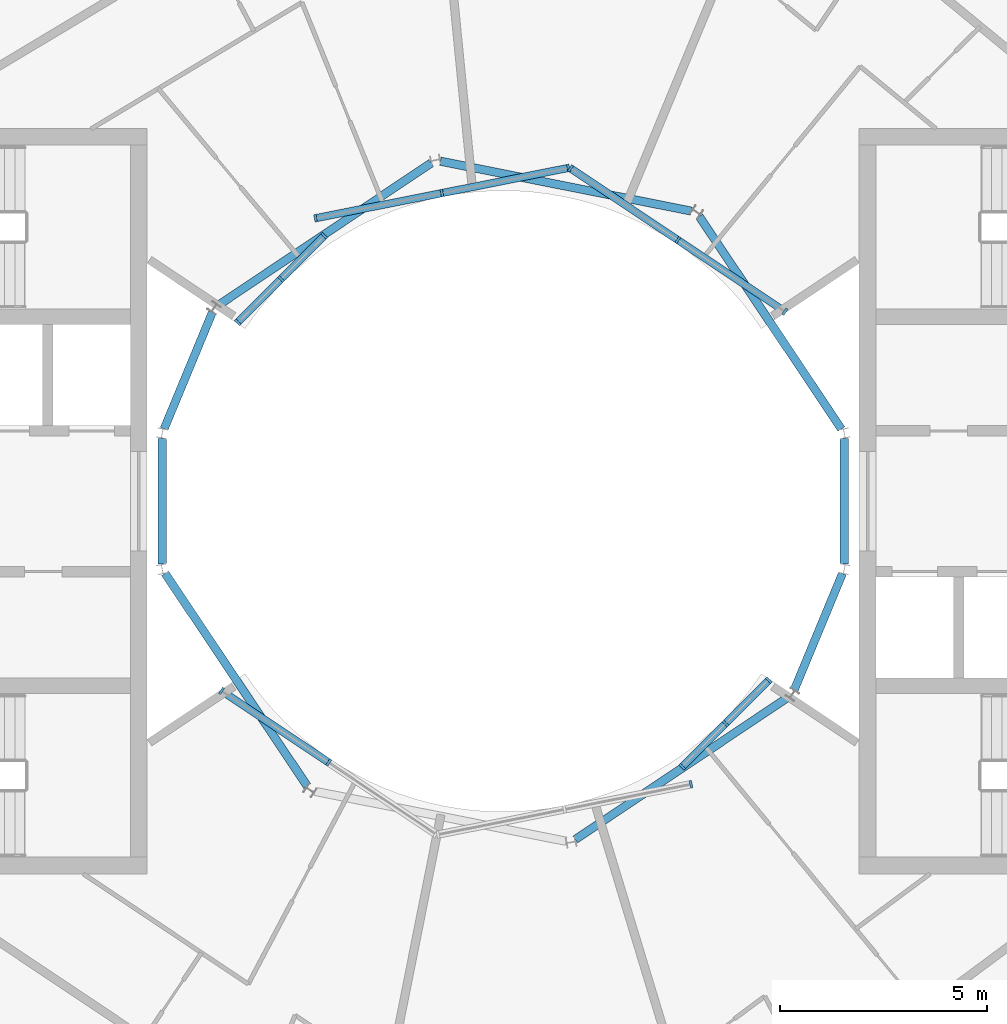
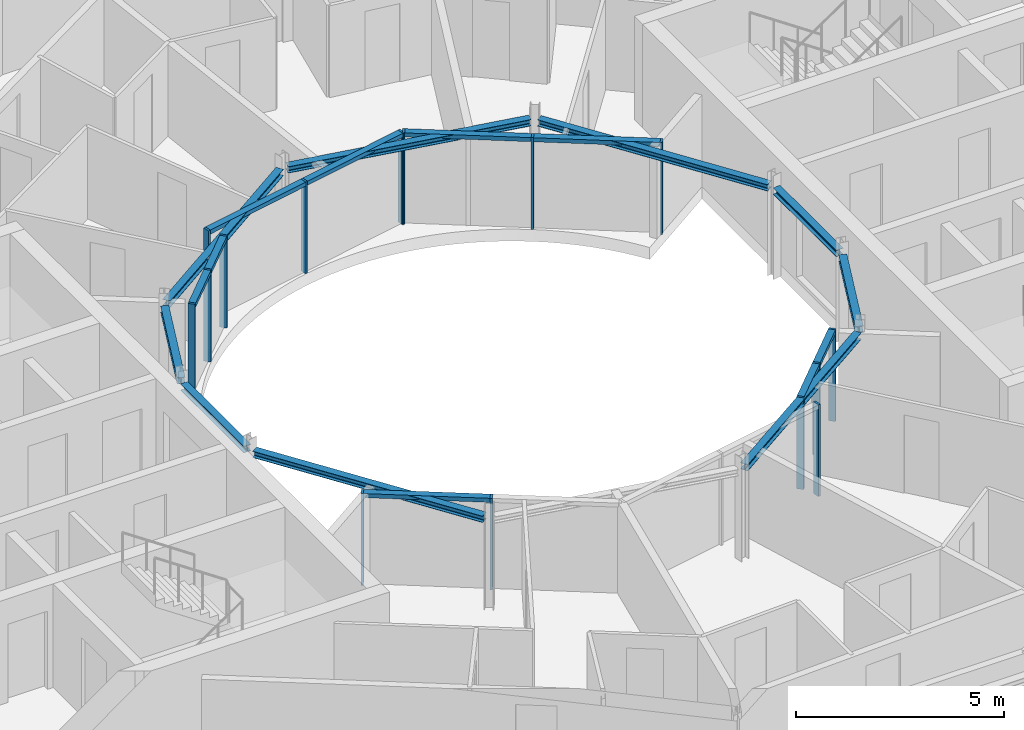
# One storey, part 6 of 17: 24 members, 9 beams, 6 elements without a shape of their own.
"""IFC4 building model written with IfcOpenShell, lengths in metres."""

from ifc_helpers import new_model, si_unit, direction, frame, origin, origin_2d, place, context, subcontext, project, spatial, rectangle, i_section, extrude, material, layer, layer_set, material_profile, profile_set, type_object, element, aggregate, save


model = new_model("IFC4")

# Units and contexts
model_context = context("Model", 3, precision=1e-05, world=origin(), true_north=direction((0.0, 1.0)))
body_context = subcontext(model_context, "Body", "Model", "MODEL_VIEW")
ifc_project = project(units=[si_unit("LENGTHUNIT", "METRE"), si_unit("AREAUNIT", "SQUARE_METRE"), si_unit("VOLUMEUNIT", "CUBIC_METRE"), si_unit("PLANEANGLEUNIT", "RADIAN"), si_unit("MASSUNIT", "GRAM", prefix="KILO")], contexts=[model_context])

# Site, building, storey
site_placement = place(None, origin())
site = spatial("IfcSite", under=ifc_project, at=site_placement, CompositionType="ELEMENT")
building_placement = place(site_placement, origin())
building = spatial("IfcBuilding", under=site, at=building_placement, Name="Maasbend Ring Residences", CompositionType="ELEMENT")
storey_placement = place(building_placement, frame((0.0, 0.0, 249.300048828125)))
storey = spatial("IfcBuildingStorey", under=building, at=storey_placement, Name="L72", CompositionType="ELEMENT", Elevation=249.300048828125)

# Curtain wall, members
ifc_material_1 = material(Name="Aluminium and clear glass", Category="aluminium")
ifc_layer = layer(ifc_material_1, 0.179931640625)
ifc_layer_set = layer_set([ifc_layer], Name="CW-W")
curtain_wall_type = type_object("IfcCurtainWallType", Name="CW-W", PredefinedType="NOTDEFINED", material=ifc_layer_set)
curtain_wall_1_placement = place(storey_placement, origin())
curtain_wall_1 = element("IfcCurtainWall", 1, at=curtain_wall_1_placement, inside=storey, type_object=curtain_wall_type, Name="Well curtain wall N1", PredefinedType="NOTDEFINED")
ifc_material_2 = material(Name="Aluminium 6063-T6", Category="aluminium")
ifc_material_profile_1 = material_profile(ifc_material_2, rectangle(XDim=0.179931640625, YDim=0.06005859375, at=origin_2d()), Name="AL 180x60")
ifc_profile_set_1 = profile_set([ifc_material_profile_1], Name="Aluminium 6063-T6")
member_type_1 = type_object("IfcMemberType", Name="CWM-W", PredefinedType="MULLION", material=ifc_profile_set_1)
member_1_placement = place(storey_placement, frame((6.805908203125, 4.580810546875, 0.0), z_axis=(0.0, 0.0, 1.0), x_axis=(-0.55557023302, -0.831469612303, 0.0)))
member_1 = element("IfcMember", 2, at=member_1_placement, type_object=member_type_1, Name="Mullion well face", PredefinedType="MULLION", context=body_context, shape_type="SweptSolid", body=[
    extrude(rectangle(XDim=0.179931640625, YDim=0.06005859375, at=origin_2d()), origin(), (0.0, 0.0, 1.0), 2.699951171875),
])
member_2_placement = place(storey_placement, frame((4.216796875, 6.310791015625, 0.0), z_axis=(0.0, 0.0, 1.0), x_axis=(-0.55557023302, -0.831469612303, 0.0)))
member_2 = element("IfcMember", 3, at=member_2_placement, type_object=member_type_1, Name="Mullion well face", PredefinedType="MULLION", context=body_context, shape_type="SweptSolid", body=[
    extrude(rectangle(XDim=0.179931640625, YDim=0.06005859375, at=origin_2d()), origin(), (0.0, 0.0, 1.0), 2.699951171875),
])
member_3_placement = place(storey_placement, frame((1.627685546875, 8.040771484375, 0.0), z_axis=(0.0, 0.0, 1.0), x_axis=(-0.55557023302, -0.831469612303, 0.0)))
member_3 = element("IfcMember", 4, at=member_3_placement, type_object=member_type_1, Name="Mullion well face", PredefinedType="MULLION", context=body_context, shape_type="SweptSolid", body=[
    extrude(rectangle(XDim=0.179931640625, YDim=0.06005859375, at=origin_2d()), origin(), (0.0, 0.0, 1.0), 2.699951171875),
])

curtain_wall_2_placement = place(storey_placement, origin())
curtain_wall_2 = element("IfcCurtainWall", 5, at=curtain_wall_2_placement, inside=storey, type_object=curtain_wall_type, Name="Well curtain wall N2", PredefinedType="NOTDEFINED")
member_4_placement = place(storey_placement, frame((1.5732421875, 8.0517578125, 0.0), z_axis=(0.0, 0.0, 1.0), x_axis=(0.195090322016, -0.980785280403, 0.0)))
member_4 = element("IfcMember", 6, at=member_4_placement, type_object=member_type_1, Name="Mullion well face", PredefinedType="MULLION", context=body_context, shape_type="SweptSolid", body=[
    extrude(rectangle(XDim=0.179931640625, YDim=0.06005859375, at=origin_2d()), origin(), (0.0, 0.0, 1.0), 2.699951171875),
])
member_5_placement = place(storey_placement, frame((-1.480712890625, 7.444091796875, 0.0), z_axis=(0.0, 0.0, 1.0), x_axis=(0.195090322016, -0.980785280403, 0.0)))
member_5 = element("IfcMember", 7, at=member_5_placement, type_object=member_type_1, Name="Mullion well face", PredefinedType="MULLION", context=body_context, shape_type="SweptSolid", body=[
    extrude(rectangle(XDim=0.179931640625, YDim=0.06005859375, at=origin_2d()), origin(), (0.0, 0.0, 1.0), 2.699951171875),
])
member_6_placement = place(storey_placement, frame((-4.53466796875, 6.836669921875, 0.0), z_axis=(0.0, 0.0, 1.0), x_axis=(0.195090322016, -0.980785280403, 0.0)))
member_6 = element("IfcMember", 8, at=member_6_placement, type_object=member_type_1, Name="Mullion well face", PredefinedType="MULLION", context=body_context, shape_type="SweptSolid", body=[
    extrude(rectangle(XDim=0.179931640625, YDim=0.06005859375, at=origin_2d()), origin(), (0.0, 0.0, 1.0), 2.699951171875),
])

curtain_wall_3_placement = place(storey_placement, origin())
curtain_wall_3 = element("IfcCurtainWall", 9, at=curtain_wall_3_placement, inside=storey, type_object=curtain_wall_type, Name="Well curtain wall N3", PredefinedType="NOTDEFINED")
member_7_placement = place(storey_placement, frame((-4.320556640625, 6.413330078125, 0.0), z_axis=(0.0, 0.0, 1.0), x_axis=(0.707106781187, -0.707106781187, 0.0)))
member_7 = element("IfcMember", 10, at=member_7_placement, type_object=member_type_1, Name="Mullion well face", PredefinedType="MULLION", context=body_context, shape_type="SweptSolid", body=[
    extrude(rectangle(XDim=0.179931640625, YDim=0.06005859375, at=origin_2d()), origin(), (0.0, 0.0, 1.0), 2.699951171875),
])
member_8_placement = place(storey_placement, frame((-5.366943359375, 5.366943359375, 0.0), z_axis=(0.0, 0.0, 1.0), x_axis=(0.707106781187, -0.707106781187, 0.0)))
member_8 = element("IfcMember", 11, at=member_8_placement, type_object=member_type_1, Name="Mullion well face", PredefinedType="MULLION", context=body_context, shape_type="SweptSolid", body=[
    extrude(rectangle(XDim=0.179931640625, YDim=0.06005859375, at=origin_2d()), origin(), (0.0, 0.0, 1.0), 2.699951171875),
])
member_9_placement = place(storey_placement, frame((-6.413330078125, 4.320556640625, 0.0), z_axis=(0.0, 0.0, 1.0), x_axis=(0.707106781187, -0.707106781187, 0.0)))
member_9 = element("IfcMember", 12, at=member_9_placement, type_object=member_type_1, Name="Mullion well face", PredefinedType="MULLION", context=body_context, shape_type="SweptSolid", body=[
    extrude(rectangle(XDim=0.179931640625, YDim=0.06005859375, at=origin_2d()), origin(), (0.0, 0.0, 1.0), 2.699951171875),
])

curtain_wall_4_placement = place(storey_placement, origin())
curtain_wall_4 = element("IfcCurtainWall", 13, at=curtain_wall_4_placement, inside=storey, type_object=curtain_wall_type, Name="Well curtain wall S1", PredefinedType="NOTDEFINED")
member_10_placement = place(storey_placement, frame((-6.805908203125, -4.580810546875, 0.0), z_axis=(0.0, 0.0, 1.0), x_axis=(0.55557023302, 0.831469612303, 0.0)))
member_10 = element("IfcMember", 14, at=member_10_placement, type_object=member_type_1, Name="Mullion well face", PredefinedType="MULLION", context=body_context, shape_type="SweptSolid", body=[
    extrude(rectangle(XDim=0.179931640625, YDim=0.06005859375, at=origin_2d()), origin(), (0.0, 0.0, 1.0), 2.699951171875),
])
member_11_placement = place(storey_placement, frame((-4.216796875, -6.310791015625, 0.0), z_axis=(0.0, 0.0, 1.0), x_axis=(0.55557023302, 0.831469612303, 0.0)))
member_11 = element("IfcMember", 15, at=member_11_placement, type_object=member_type_1, Name="Mullion well face", PredefinedType="MULLION", context=body_context, shape_type="SweptSolid", body=[
    extrude(rectangle(XDim=0.179931640625, YDim=0.06005859375, at=origin_2d()), origin(), (0.0, 0.0, 1.0), 2.699951171875),
])

# Curtain wall, member
curtain_wall_5_placement = place(storey_placement, origin())
curtain_wall_5 = element("IfcCurtainWall", 16, at=curtain_wall_5_placement, inside=storey, type_object=curtain_wall_type, Name="Well curtain wall S2", PredefinedType="NOTDEFINED")
member_12_placement = place(storey_placement, frame((4.53466796875, -6.836669921875, 0.0), z_axis=(0.0, 0.0, 1.0), x_axis=(-0.195090322016, 0.980785280403, 0.0)))
member_12 = element("IfcMember", 17, at=member_12_placement, type_object=member_type_1, Name="Mullion well face", PredefinedType="MULLION", context=body_context, shape_type="SweptSolid", body=[
    extrude(rectangle(XDim=0.179931640625, YDim=0.06005859375, at=origin_2d()), origin(), (0.0, 0.0, 1.0), 2.699951171875),
])
aggregate(curtain_wall_5, [member_12])

# Curtain wall, members
curtain_wall_6_placement = place(storey_placement, origin())
curtain_wall_6 = element("IfcCurtainWall", 18, at=curtain_wall_6_placement, inside=storey, type_object=curtain_wall_type, Name="Well curtain wall S3", PredefinedType="NOTDEFINED")
member_13_placement = place(storey_placement, frame((4.320556640625, -6.413330078125, 0.0), z_axis=(0.0, 0.0, 1.0), x_axis=(-0.707106781187, 0.707106781187, 0.0)))
member_13 = element("IfcMember", 19, at=member_13_placement, type_object=member_type_1, Name="Mullion well face", PredefinedType="MULLION", context=body_context, shape_type="SweptSolid", body=[
    extrude(rectangle(XDim=0.179931640625, YDim=0.06005859375, at=origin_2d()), origin(), (0.0, 0.0, 1.0), 2.699951171875),
])
member_14_placement = place(storey_placement, frame((5.366943359375, -5.366943359375, 0.0), z_axis=(0.0, 0.0, 1.0), x_axis=(-0.707106781187, 0.707106781187, 0.0)))
member_14 = element("IfcMember", 20, at=member_14_placement, type_object=member_type_1, Name="Mullion well face", PredefinedType="MULLION", context=body_context, shape_type="SweptSolid", body=[
    extrude(rectangle(XDim=0.179931640625, YDim=0.06005859375, at=origin_2d()), origin(), (0.0, 0.0, 1.0), 2.699951171875),
])
member_15_placement = place(storey_placement, frame((6.413330078125, -4.320556640625, 0.0), z_axis=(0.0, 0.0, 1.0), x_axis=(-0.707106781187, 0.707106781187, 0.0)))
member_15 = element("IfcMember", 21, at=member_15_placement, type_object=member_type_1, Name="Mullion well face", PredefinedType="MULLION", context=body_context, shape_type="SweptSolid", body=[
    extrude(rectangle(XDim=0.179931640625, YDim=0.06005859375, at=origin_2d()), origin(), (0.0, 0.0, 1.0), 2.699951171875),
])

# Member
ifc_material_3 = material(Name="Aluminium 6063-T6", Category="aluminium")
ifc_material_profile_2 = material_profile(ifc_material_3, rectangle(XDim=0.179931640625, YDim=0.1201171875, at=origin_2d()), Name="AL 180x120")
ifc_profile_set_2 = profile_set([ifc_material_profile_2], Name="Aluminium 6063-T6")
member_type_2 = type_object("IfcMemberType", Name="CWT-W", PredefinedType="USERDEFINED", material=ifc_profile_set_2)
member_16_placement = place(storey_placement, frame((6.781005859375, 4.59765625, 2.639892578125), z_axis=(-0.831496422459, 0.555530106689, 0.0), x_axis=(-0.555530106689, -0.831496422459, 0.0)))
member_16 = element("IfcMember", 22, at=member_16_placement, type_object=member_type_2, Name="Transom well face", ObjectType="TRANSOM", PredefinedType="USERDEFINED", context=body_context, shape_type="SweptSolid", body=[
    extrude(rectangle(XDim=0.179931640625, YDim=0.1201171875, at=origin_2d()), origin(), (0.0, 0.0, 1.0), 3.053955078125),
])

member_17_placement = place(storey_placement, frame((4.19189453125, 6.32763671875, 2.639892578125), z_axis=(-0.831496422459, 0.555530106689, 0.0), x_axis=(-0.555530106689, -0.831496422459, 0.0)))
member_17 = element("IfcMember", 23, at=member_17_placement, type_object=member_type_2, Name="Transom well face", ObjectType="TRANSOM", PredefinedType="USERDEFINED", context=body_context, shape_type="SweptSolid", body=[
    extrude(rectangle(XDim=0.179931640625, YDim=0.1201171875, at=origin_2d()), origin(), (0.0, 0.0, 1.0), 3.053955078125),
])

aggregate(curtain_wall_1, [member_1, member_2, member_3, member_16, member_17])

member_18_placement = place(storey_placement, frame((1.5439453125, 8.0458984375, 2.639892578125), z_axis=(-0.980776956105, -0.195132166424, 0.0), x_axis=(0.195132166424, -0.980776956105, 0.0)))
member_18 = element("IfcMember", 24, at=member_18_placement, type_object=member_type_2, Name="Transom well face", ObjectType="TRANSOM", PredefinedType="USERDEFINED", context=body_context, shape_type="SweptSolid", body=[
    extrude(rectangle(XDim=0.179931640625, YDim=0.1201171875, at=origin_2d()), origin(), (0.0, 0.0, 1.0), 3.053955078125),
])

member_19_placement = place(storey_placement, frame((-1.51025390625, 7.438232421875, 2.639892578125), z_axis=(-0.980789210404, -0.19507056353, 0.0), x_axis=(0.19507056353, -0.980789210404, 0.0)))
member_19 = element("IfcMember", 25, at=member_19_placement, type_object=member_type_2, Name="Transom well face", ObjectType="TRANSOM", PredefinedType="USERDEFINED", context=body_context, shape_type="SweptSolid", body=[
    extrude(rectangle(XDim=0.179931640625, YDim=0.1201171875, at=origin_2d()), origin(), (0.0, 0.0, 1.0), 3.0537109375),
])

aggregate(curtain_wall_2, [member_4, member_5, member_6, member_18, member_19])

member_20_placement = place(storey_placement, frame((-4.341796875, 6.39208984375, 2.639892578125), z_axis=(-0.707106781187, -0.707106781187, 0.0), x_axis=(0.707106781187, -0.707106781187, 0.0)))
member_20 = element("IfcMember", 26, at=member_20_placement, type_object=member_type_2, Name="Transom well face", ObjectType="TRANSOM", PredefinedType="USERDEFINED", context=body_context, shape_type="SweptSolid", body=[
    extrude(rectangle(XDim=0.179931640625, YDim=0.1201171875, at=origin_2d()), origin(), (0.0, 0.0, 1.0), 1.419677734375),
])

member_21_placement = place(storey_placement, frame((-5.38818359375, 5.345703125, 2.639892578125), z_axis=(-0.707106781187, -0.707106781187, 0.0), x_axis=(0.707106781187, -0.707106781187, 0.0)))
member_21 = element("IfcMember", 27, at=member_21_placement, type_object=member_type_2, Name="Transom well face", ObjectType="TRANSOM", PredefinedType="USERDEFINED", context=body_context, shape_type="SweptSolid", body=[
    extrude(rectangle(XDim=0.179931640625, YDim=0.1201171875, at=origin_2d()), origin(), (0.0, 0.0, 1.0), 1.419677734375),
])

aggregate(curtain_wall_3, [member_7, member_8, member_9, member_20, member_21])

member_22_placement = place(storey_placement, frame((-6.781005859375, -4.59765625, 2.639892578125), z_axis=(0.831496422459, -0.555530106689, 0.0), x_axis=(0.555530106689, 0.831496422459, 0.0)))
member_22 = element("IfcMember", 28, at=member_22_placement, type_object=member_type_2, Name="Transom well face", ObjectType="TRANSOM", PredefinedType="USERDEFINED", context=body_context, shape_type="SweptSolid", body=[
    extrude(rectangle(XDim=0.179931640625, YDim=0.1201171875, at=origin_2d()), origin(), (0.0, 0.0, 1.0), 3.053955078125),
])

aggregate(curtain_wall_4, [member_10, member_11, member_22])

member_23_placement = place(storey_placement, frame((4.341796875, -6.39208984375, 2.639892578125), z_axis=(0.707106781187, 0.707106781187, 0.0), x_axis=(-0.707106781187, 0.707106781187, 0.0)))
member_23 = element("IfcMember", 29, at=member_23_placement, type_object=member_type_2, Name="Transom well face", ObjectType="TRANSOM", PredefinedType="USERDEFINED", context=body_context, shape_type="SweptSolid", body=[
    extrude(rectangle(XDim=0.179931640625, YDim=0.1201171875, at=origin_2d()), origin(), (0.0, 0.0, 1.0), 1.419677734375),
])

member_24_placement = place(storey_placement, frame((5.38818359375, -5.345703125, 2.639892578125), z_axis=(0.707106781187, 0.707106781187, 0.0), x_axis=(-0.707106781187, 0.707106781187, 0.0)))
member_24 = element("IfcMember", 30, at=member_24_placement, type_object=member_type_2, Name="Transom well face", ObjectType="TRANSOM", PredefinedType="USERDEFINED", context=body_context, shape_type="SweptSolid", body=[
    extrude(rectangle(XDim=0.179931640625, YDim=0.1201171875, at=origin_2d()), origin(), (0.0, 0.0, 1.0), 1.419677734375),
])

aggregate(curtain_wall_6, [member_13, member_14, member_15, member_23, member_24])

# Beams
ifc_material_4 = material(Name="Steel S355J2", Category="steel")
ifc_material_profile_3 = material_profile(ifc_material_4, i_section(OverallWidth=0.199951171875, OverallDepth=0.18994140625, WebThickness=0.006591796875, FlangeThickness=0.010009765625, FilletRadius=0.01806640625, at=origin_2d()), Name="HEA 200")
ifc_profile_set_3 = profile_set([ifc_material_profile_3], Name="Steel S355J2")
beam_type = type_object("IfcBeamType", Name="Well edge beam HEA 200", PredefinedType="BEAM", material=ifc_profile_set_3)
for number, where, z_axis, x_axis, name in (
    (31, (8.16943359375, 1.7421875, 2.60498046875), (-0.555547729421, 0.831484648286, 0.0), (-0.831484648286, -0.555547729421, 0.0), "Well edge beam"),
    (32, (4.544677734375, 7.008544921875, 2.60498046875), (-0.98078072474, 0.195113223486, 0.0), (-0.195113223486, -0.98078072474, 0.0), "Well edge beam"),
    (33, (-1.7421875, 8.16943359375, 2.60498046875), (-0.831484648286, -0.555547729421, 0.0), (0.555547729421, -0.831484648286, 0.0), "Well edge beam"),
):
    element("IfcBeam", number, at=place(storey_placement, frame(where, z_axis=z_axis, x_axis=x_axis)), inside=storey, type_object=beam_type, Name=name, PredefinedType="BEAM", context=body_context, shape_type="SweptSolid", body=[
        extrude(i_section(OverallWidth=0.199951171875, OverallDepth=0.18994140625, WebThickness=0.006591796875, FlangeThickness=0.010009765625, FilletRadius=0.01806640625, at=origin_2d()), origin(), (0.0, 0.0, 1.0), 6.18017578125),
    ])
for number, where, z_axis, x_axis, name in (
    (34, (-7.029296875, 4.55859375, 2.60498046875), (-0.382609241817, -0.923910259753, 0.0), (0.923910259753, -0.382609241817, 0.0), "Well edge beam"),
    (35, (-8.238525390625, 1.521484375, 2.60498046875), (0.0, -1.0, 0.0), (1.0, 0.0, 0.0), "Well edge beam"),
):
    element("IfcBeam", number, at=place(storey_placement, frame(where, z_axis=z_axis, x_axis=x_axis)), inside=storey, type_object=beam_type, Name=name, PredefinedType="BEAM", context=body_context, shape_type="SweptSolid", body=[
        extrude(i_section(OverallWidth=0.199951171875, OverallDepth=0.18994140625, WebThickness=0.006591796875, FlangeThickness=0.010009765625, FilletRadius=0.01806640625, at=origin_2d()), origin(), (0.0, 0.0, 1.0), 3.04296875),
    ])
for number, where, z_axis, x_axis, name in (
    (36, (-8.16943359375, -1.7421875, 2.60498046875), (0.555547729421, -0.831484648286, 0.0), (0.831484648286, 0.555547729421, 0.0), "Well edge beam"),
    (37, (1.7421875, -8.16943359375, 2.60498046875), (0.831484648286, 0.555547729421, 0.0), (-0.555547729421, 0.831484648286, 0.0), "Well edge beam"),
):
    element("IfcBeam", number, at=place(storey_placement, frame(where, z_axis=z_axis, x_axis=x_axis)), inside=storey, type_object=beam_type, Name=name, PredefinedType="BEAM", context=body_context, shape_type="SweptSolid", body=[
        extrude(i_section(OverallWidth=0.199951171875, OverallDepth=0.18994140625, WebThickness=0.006591796875, FlangeThickness=0.010009765625, FilletRadius=0.01806640625, at=origin_2d()), origin(), (0.0, 0.0, 1.0), 6.18017578125),
    ])
for number, where, z_axis, x_axis, name in (
    (38, (7.029296875, -4.55859375, 2.60498046875), (0.382609241817, 0.923910259753, 0.0), (-0.923910259753, 0.382609241817, 0.0), "Well edge beam"),
    (39, (8.238525390625, -1.521484375, 2.60498046875), (0.0, 1.0, 0.0), (-1.0, 0.0, 0.0), "Well edge beam"),
):
    element("IfcBeam", number, at=place(storey_placement, frame(where, z_axis=z_axis, x_axis=x_axis)), inside=storey, type_object=beam_type, Name=name, PredefinedType="BEAM", context=body_context, shape_type="SweptSolid", body=[
        extrude(i_section(OverallWidth=0.199951171875, OverallDepth=0.18994140625, WebThickness=0.006591796875, FlangeThickness=0.010009765625, FilletRadius=0.01806640625, at=origin_2d()), origin(), (0.0, 0.0, 1.0), 3.04296875),
    ])

save(model, "model.ifc")
